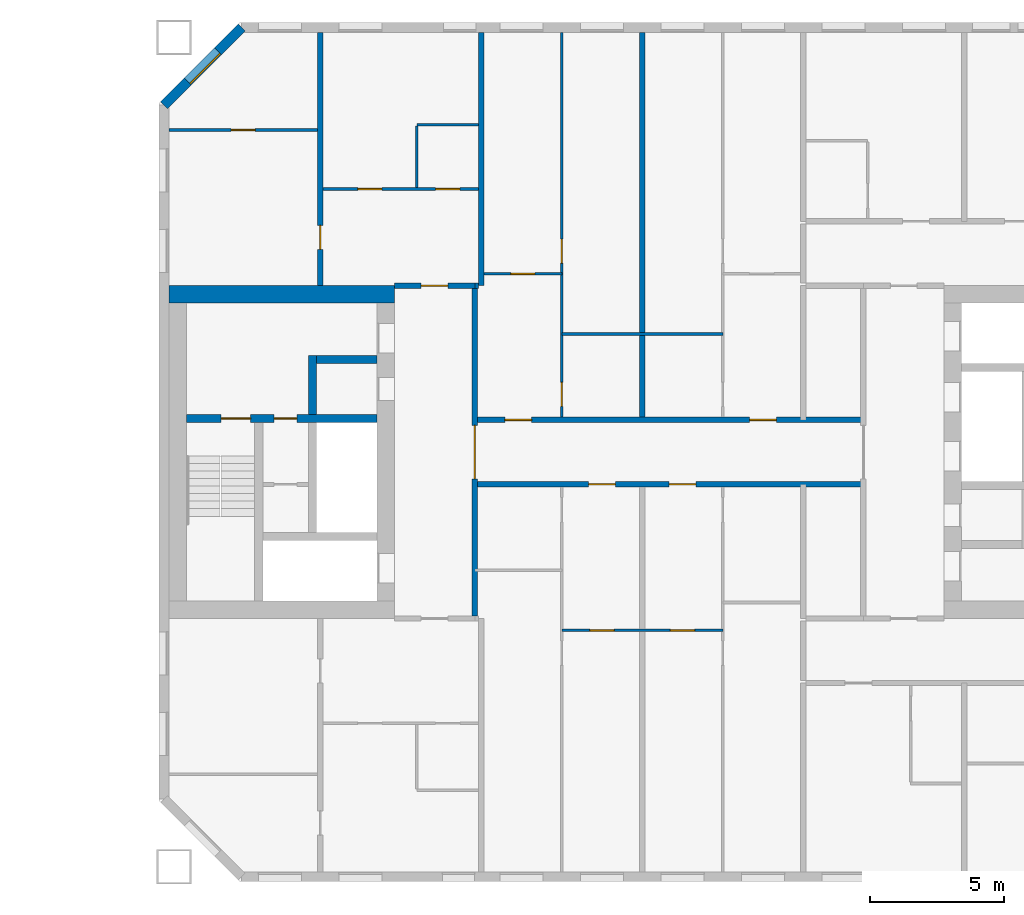
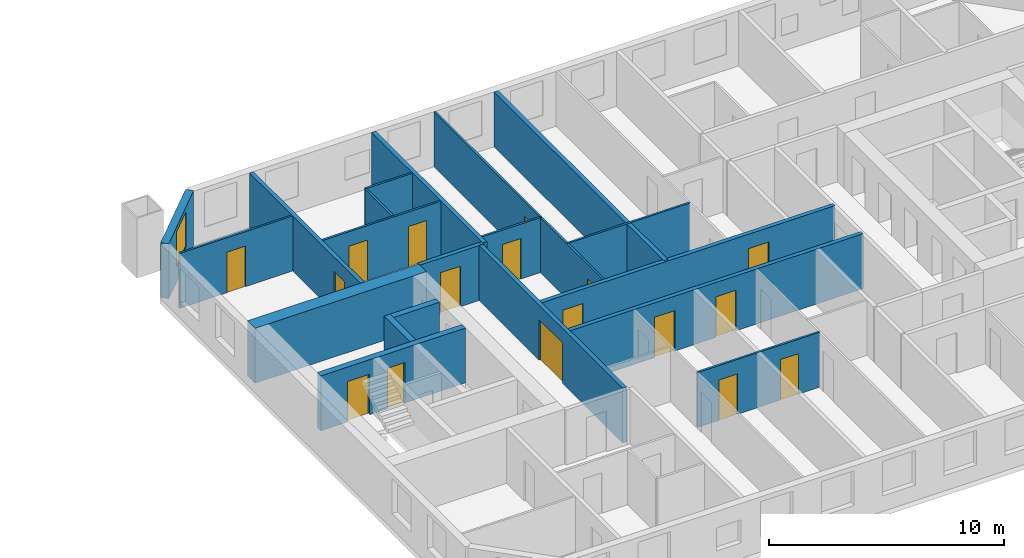
# One storey, part 11 of 17: 21 walls, 17 doors, 1 window, 18 openings.
"""IFC4 building model written with IfcOpenShell, lengths in metres."""

from ifc_helpers import new_model, si_unit, direction, frame, frame_2d, origin, place, context, subcontext, project, spatial, rectangle, extrude, material, layer, layer_set, type_object, element, fill, save


model = new_model("IFC4")

# Units and contexts
model_context = context("Model", 3, precision=1e-05, world=origin(), true_north=direction((0.0, 1.0)))
body_context = subcontext(model_context, "Body", "Model", "MODEL_VIEW")
ifc_project = project(units=[si_unit("LENGTHUNIT", "METRE"), si_unit("AREAUNIT", "SQUARE_METRE"), si_unit("VOLUMEUNIT", "CUBIC_METRE"), si_unit("PLANEANGLEUNIT", "RADIAN"), si_unit("MASSUNIT", "GRAM", prefix="KILO")], contexts=[model_context])

# Site, building, storey
site_placement = place(None, origin())
site = spatial("IfcSite", under=ifc_project, at=site_placement, CompositionType="ELEMENT")
building_placement = place(site_placement, origin())
building = spatial("IfcBuilding", under=site, at=building_placement, Name="Tuart Gate Housing", CompositionType="ELEMENT")
storey_placement = place(building_placement, frame((0.0, 0.0, 102.60009765625)))
storey = spatial("IfcBuildingStorey", under=building, at=storey_placement, Name="L28", CompositionType="ELEMENT", Elevation=102.60009765625)

# Wall, opening, window
ifc_material_1 = material(Name="Brick", Category="masonry")
ifc_layer_1 = layer(ifc_material_1, 0.360107421875)
ifc_layer_set_1 = layer_set([ifc_layer_1], Name="Brick pier and spandrel wall 360")
wall_type_1 = type_object("IfcWallType", Name="Brick pier and spandrel wall 360", PredefinedType="STANDARD", material=ifc_layer_set_1)
wall_1_placement = place(storey_placement, frame((134.07470703125, 85.820068359375, 0.0), z_axis=(0.0, 0.0, 1.0), x_axis=(-0.707106781187, -0.707106781187, 0.0)))
wall_1 = element("IfcWall", 1, at=wall_1_placement, inside=storey, type_object=wall_type_1, Name="External wall B-NW L28", PredefinedType="STANDARD", context=body_context, shape_type="SweptSolid", body=[
    extrude(rectangle(XDim=4.09375, YDim=0.360107421875, at=frame_2d((2.046875, 0.0))), origin(), (0.0, 0.0, 1.0), 2.849853515625),
])
opening_1_placement = place(wall_1_placement, frame((1.2470703125, 0.0, 0.800048828125)))
opening_1 = element("IfcOpeningElement", 2, at=opening_1_placement, cuts=wall_1, Name="Opening W1", PredefinedType="OPENING", context=body_context, shape_type="SweptSolid", body=[
    extrude(rectangle(XDim=1.60009765625, YDim=1.800048828125, at=frame_2d((0.800048828125, 0.89990234375))), frame((0.0, 0.18994140625, 0.0), z_axis=(0.0, -1.0, 0.0), x_axis=(1.0, 0.0, 0.0)), (0.0, 0.0, 1.0), 0.380126953125),
])
ifc_material_2 = material(Name="Aluminium frame with clear glass", Category="aluminium")
window_type = type_object("IfcWindowType", Name="Punched window 1600 x 1800", PartitioningType="SINGLE_PANEL", PredefinedType="WINDOW", material=ifc_material_2)
window_placement = place(opening_1_placement, origin())
window = element("IfcWindow", 3, at=window_placement, inside=storey, type_object=window_type, Name="Window W1", OverallHeight=1.800048828125, OverallWidth=1.60009765625, PartitioningType="SINGLE_PANEL", PredefinedType="WINDOW", context=body_context, shape_type="SweptSolid", body=[
    extrude(rectangle(XDim=1.60009765625, YDim=1.800048828125, at=frame_2d((0.800048828125, 0.89990234375))), frame((0.0, 0.150146484375, 0.0), z_axis=(0.0, -1.0, 0.0), x_axis=(1.0, 0.0, 0.0)), (0.0, 0.0, 1.0), 0.06005859375),
])
fill(opening_1, window)

# Wall, openings, doors
ifc_material_3 = material(Name="Concrete C50", Category="concrete")
ifc_layer_2 = layer(ifc_material_3, 0.300048828125)
ifc_layer_set_2 = layer_set([ifc_layer_2], Name="Core wall 300 C50")
wall_type_2 = type_object("IfcWallType", Name="Core wall 300 C50", PredefinedType="SHEAR", material=ifc_layer_set_2)
wall_2_placement = place(storey_placement, frame((139.110107421875, 71.25, 0.0), z_axis=(0.0, 0.0, 1.0), x_axis=(-1.0, 0.0, 0.0)))
wall_2 = element("IfcWall", 4, at=wall_2_placement, inside=storey, type_object=wall_type_2, Name="Core wall BG.3", PredefinedType="SHEAR", context=body_context, shape_type="SweptSolid", body=[
    extrude(rectangle(XDim=7.10009765625, YDim=0.300048828125, at=frame_2d((3.550048828125, 0.0))), origin(), (0.0, 0.0, 1.0), 2.849853515625),
])
opening_2_placement = place(wall_2_placement, frame((4.699951171875, 0.0, 0.0)))
opening_2 = element("IfcOpeningElement", 5, at=opening_2_placement, cuts=wall_2, Name="Opening D1144", PredefinedType="OPENING", context=body_context, shape_type="SweptSolid", body=[
    extrude(rectangle(XDim=1.10009765625, YDim=2.10009765625, at=frame_2d((0.550048828125, 1.050048828125))), frame((0.0, 0.159912109375, 0.0), z_axis=(0.0, -1.0, 0.0), x_axis=(1.0, 0.0, 0.0)), (0.0, 0.0, 1.0), 0.320068359375),
])
opening_3_placement = place(wall_2_placement, frame((2.97509765625, 0.0, 0.0)))
opening_3 = element("IfcOpeningElement", 6, at=opening_3_placement, cuts=wall_2, Name="Opening D1143", PredefinedType="OPENING", context=body_context, shape_type="SweptSolid", body=[
    extrude(rectangle(XDim=0.85009765625, YDim=2.10009765625, at=frame_2d((0.425048828125, 1.050048828125))), frame((0.0, 0.159912109375, 0.0), z_axis=(0.0, -1.0, 0.0), x_axis=(1.0, 0.0, 0.0)), (0.0, 0.0, 1.0), 0.320068359375),
])
ifc_material_4 = material(Name="Steel fire door", Category="steel")
door_type_1 = type_object("IfcDoorType", Name="Riser door 850 x 2100", OperationType="SINGLE_SWING_LEFT", PredefinedType="DOOR", material=ifc_material_4)
door_1_placement = place(opening_3_placement, origin())
door_1 = element("IfcDoor", 7, at=door_1_placement, inside=storey, type_object=door_type_1, Name="Service room door BG.W1", OperationType="SINGLE_SWING_LEFT", OverallHeight=2.10009765625, OverallWidth=0.85009765625, PredefinedType="DOOR", context=body_context, shape_type="SweptSolid", body=[
    extrude(rectangle(XDim=0.85009765625, YDim=2.10009765625, at=frame_2d((0.425048828125, 1.050048828125))), frame((0.0, 0.02490234375, 0.0), z_axis=(0.0, -1.0, 0.0), x_axis=(1.0, 0.0, 0.0)), (0.0, 0.0, 1.0), 0.050048828125),
])
fill(opening_3, door_1)
ifc_material_5 = material(Name="Steel fire door", Category="steel")
door_type_2 = type_object("IfcDoorType", Name="Stair door 1100 x 2100", OperationType="SINGLE_SWING_LEFT", PredefinedType="DOOR", material=ifc_material_5)
door_2_placement = place(opening_2_placement, origin())
door_2 = element("IfcDoor", 8, at=door_2_placement, inside=storey, type_object=door_type_2, Name="Stair door BG.SD", OperationType="SINGLE_SWING_LEFT", OverallHeight=2.10009765625, OverallWidth=1.10009765625, PredefinedType="DOOR", context=body_context, shape_type="SweptSolid", body=[
    extrude(rectangle(XDim=1.10009765625, YDim=2.10009765625, at=frame_2d((0.550048828125, 1.050048828125))), frame((0.0, 0.02490234375, 0.0), z_axis=(0.0, -1.0, 0.0), x_axis=(1.0, 0.0, 0.0)), (0.0, 0.0, 1.0), 0.050048828125),
])
fill(opening_2, door_2)

# Walls
wall_3_placement = place(storey_placement, frame((139.110107421875, 73.449951171875, 0.0), z_axis=(0.0, 0.0, 1.0), x_axis=(-1.0, 0.0, 0.0)))
element("IfcWall", 9, at=wall_3_placement, inside=storey, type_object=wall_type_2, Name="Core wall BG.4", PredefinedType="SHEAR", context=body_context, shape_type="SweptSolid", body=[
    extrude(rectangle(XDim=2.25, YDim=0.300048828125, at=frame_2d((1.125, 0.0))), origin(), (0.0, 0.0, 1.0), 2.849853515625),
])
wall_4_placement = place(storey_placement, frame((136.7099609375, 71.39990234375, 0.0), z_axis=(0.0, 0.0, 1.0), x_axis=(0.0, 1.0, 0.0)))
element("IfcWall", 10, at=wall_4_placement, inside=storey, type_object=wall_type_2, Name="Core wall BG.6", PredefinedType="SHEAR", context=body_context, shape_type="SweptSolid", body=[
    extrude(rectangle(XDim=2.2001953125, YDim=0.300048828125, at=frame_2d((1.10009765625, 0.0))), origin(), (0.0, 0.0, 1.0), 2.849853515625),
])
ifc_material_6 = material(Name="Concrete C50", Category="concrete")
ifc_layer_3 = layer(ifc_material_6, 0.64990234375)
ifc_layer_set_3 = layer_set([ifc_layer_3], Name="Core wall 650 C50")
wall_type_3 = type_object("IfcWallType", Name="Core wall 650 C50", PredefinedType="SHEAR", material=ifc_layer_set_3)
wall_5_placement = place(storey_placement, frame((139.760009765625, 75.875, 0.0), z_axis=(0.0, 0.0, 1.0), x_axis=(-1.0, 0.0, 0.0)))
element("IfcWall", 11, at=wall_5_placement, inside=storey, type_object=wall_type_3, Name="Core wall BG north", PredefinedType="SHEAR", context=body_context, shape_type="SweptSolid", body=[
    extrude(rectangle(XDim=8.39990234375, YDim=0.64990234375, at=frame_2d((4.199951171875, 0.0))), origin(), (0.0, 0.0, 1.0), 2.849853515625),
])

# Wall, openings, doors
ifc_material_7 = material(Name="Concrete masonry 15 MPa", Category="masonry")
ifc_layer_4 = layer(ifc_material_7, 0.199951171875)
ifc_layer_set_4 = layer_set([ifc_layer_4], Name="Corridor wall masonry 200")
wall_type_4 = type_object("IfcWallType", Name="Corridor wall masonry 200", PredefinedType="PARTITIONING", material=ifc_layer_set_4)
wall_6_placement = place(storey_placement, frame((142.760009765625, 68.800048828125, 0.0), z_axis=(0.0, 0.0, 1.0), x_axis=(1.0, 0.0, 0.0)))
wall_6 = element("IfcWall", 12, at=wall_6_placement, inside=storey, type_object=wall_type_4, Name="Corridor wall masonry 200", PredefinedType="PARTITIONING", context=body_context, shape_type="SweptSolid", body=[
    extrude(rectangle(XDim=14.47998046875, YDim=0.199951171875, at=frame_2d((7.239990234375, 0.0))), origin(), (0.0, 0.0, 1.0), 2.849853515625),
])
opening_4_placement = place(wall_6_placement, frame((4.239990234375, 0.0, 0.0)))
opening_4 = element("IfcOpeningElement", 13, at=opening_4_placement, cuts=wall_6, Name="Opening D1156", PredefinedType="OPENING", context=body_context, shape_type="SweptSolid", body=[
    extrude(rectangle(XDim=1.0, YDim=2.10009765625, at=frame_2d((0.5, 1.050048828125))), frame((0.0, 0.10986328125, 0.0), z_axis=(0.0, -1.0, 0.0), x_axis=(1.0, 0.0, 0.0)), (0.0, 0.0, 1.0), 0.219970703125),
])
opening_5_placement = place(wall_6_placement, frame((7.239990234375, 0.0, 0.0)))
opening_5 = element("IfcOpeningElement", 14, at=opening_5_placement, cuts=wall_6, Name="Opening D1157", PredefinedType="OPENING", context=body_context, shape_type="SweptSolid", body=[
    extrude(rectangle(XDim=1.0, YDim=2.10009765625, at=frame_2d((0.5, 1.050048828125))), frame((0.0, 0.10986328125, 0.0), z_axis=(0.0, -1.0, 0.0), x_axis=(1.0, 0.0, 0.0)), (0.0, 0.0, 1.0), 0.219970703125),
])
ifc_material_8 = material(Name="Timber door leaf in steel frame", Category="steel")
door_type_3 = type_object("IfcDoorType", Name="Flat entrance door 1000 RH", OperationType="SINGLE_SWING_RIGHT", PredefinedType="DOOR", material=ifc_material_8)
door_3_placement = place(opening_4_placement, frame((1.0, 0.0, 0.0), z_axis=(0.0, 0.0, 1.0), x_axis=(-1.0, 0.0, 0.0)))
door_3 = element("IfcDoor", 15, at=door_3_placement, inside=storey, type_object=door_type_3, Name="Flat entrance door", OperationType="SINGLE_SWING_RIGHT", OverallHeight=2.10009765625, OverallWidth=1.0, PredefinedType="DOOR", context=body_context, shape_type="SweptSolid", body=[
    extrude(rectangle(XDim=1.0, YDim=2.10009765625, at=frame_2d((0.5, 1.050048828125))), frame((0.0, 0.025146484375, 0.0), z_axis=(0.0, -1.0, 0.0), x_axis=(1.0, 0.0, 0.0)), (0.0, 0.0, 1.0), 0.050048828125),
])
fill(opening_4, door_3)
door_4_placement = place(opening_5_placement, frame((1.0, 0.0, 0.0), z_axis=(0.0, 0.0, 1.0), x_axis=(-1.0, 0.0, 0.0)))
door_4 = element("IfcDoor", 16, at=door_4_placement, inside=storey, type_object=door_type_3, Name="Flat entrance door", OperationType="SINGLE_SWING_RIGHT", OverallHeight=2.10009765625, OverallWidth=1.0, PredefinedType="DOOR", context=body_context, shape_type="SweptSolid", body=[
    extrude(rectangle(XDim=1.0, YDim=2.10009765625, at=frame_2d((0.5, 1.050048828125))), frame((0.0, 0.025146484375, 0.0), z_axis=(0.0, -1.0, 0.0), x_axis=(1.0, 0.0, 0.0)), (0.0, 0.0, 1.0), 0.050048828125),
])
fill(opening_5, door_4)

wall_7_placement = place(storey_placement, frame((142.760009765625, 71.199951171875, 0.0), z_axis=(0.0, 0.0, 1.0), x_axis=(1.0, 0.0, 0.0)))
wall_7 = element("IfcWall", 17, at=wall_7_placement, inside=storey, type_object=wall_type_4, Name="Corridor wall masonry 200", PredefinedType="PARTITIONING", context=body_context, shape_type="SweptSolid", body=[
    extrude(rectangle(XDim=14.47998046875, YDim=0.199951171875, at=frame_2d((7.239990234375, 0.0))), origin(), (0.0, 0.0, 1.0), 2.849853515625),
])
opening_6_placement = place(wall_7_placement, frame((1.1201171875, 0.0, 0.0)))
opening_6 = element("IfcOpeningElement", 18, at=opening_6_placement, cuts=wall_7, Name="Opening D1145", PredefinedType="OPENING", context=body_context, shape_type="SweptSolid", body=[
    extrude(rectangle(XDim=1.0, YDim=2.10009765625, at=frame_2d((0.5, 1.050048828125))), frame((0.0, 0.10986328125, 0.0), z_axis=(0.0, -1.0, 0.0), x_axis=(1.0, 0.0, 0.0)), (0.0, 0.0, 1.0), 0.219970703125),
])
opening_7_placement = place(wall_7_placement, frame((10.239990234375, 0.0, 0.0)))
opening_7 = element("IfcOpeningElement", 19, at=opening_7_placement, cuts=wall_7, Name="Opening D1146", PredefinedType="OPENING", context=body_context, shape_type="SweptSolid", body=[
    extrude(rectangle(XDim=1.0, YDim=2.10009765625, at=frame_2d((0.5, 1.050048828125))), frame((0.0, 0.10986328125, 0.0), z_axis=(0.0, -1.0, 0.0), x_axis=(1.0, 0.0, 0.0)), (0.0, 0.0, 1.0), 0.219970703125),
])
ifc_material_9 = material(Name="Timber door leaf in steel frame", Category="steel")
door_type_4 = type_object("IfcDoorType", Name="Flat entrance door 1000", OperationType="SINGLE_SWING_LEFT", PredefinedType="DOOR", material=ifc_material_9)
door_5_placement = place(opening_6_placement, origin())
door_5 = element("IfcDoor", 20, at=door_5_placement, inside=storey, type_object=door_type_4, Name="Flat entrance door", OperationType="SINGLE_SWING_LEFT", OverallHeight=2.10009765625, OverallWidth=1.0, PredefinedType="DOOR", context=body_context, shape_type="SweptSolid", body=[
    extrude(rectangle(XDim=1.0, YDim=2.10009765625, at=frame_2d((0.5, 1.050048828125))), frame((0.0, 0.02490234375, 0.0), z_axis=(0.0, -1.0, 0.0), x_axis=(1.0, 0.0, 0.0)), (0.0, 0.0, 1.0), 0.050048828125),
])
fill(opening_6, door_5)
door_6_placement = place(opening_7_placement, origin())
door_6 = element("IfcDoor", 21, at=door_6_placement, inside=storey, type_object=door_type_4, Name="Flat entrance door", OperationType="SINGLE_SWING_LEFT", OverallHeight=2.10009765625, OverallWidth=1.0, PredefinedType="DOOR", context=body_context, shape_type="SweptSolid", body=[
    extrude(rectangle(XDim=1.0, YDim=2.10009765625, at=frame_2d((0.5, 1.050048828125))), frame((0.0, 0.02490234375, 0.0), z_axis=(0.0, -1.0, 0.0), x_axis=(1.0, 0.0, 0.0)), (0.0, 0.0, 1.0), 0.050048828125),
])
fill(opening_7, door_6)

# Wall, opening, door
ifc_material_10 = material(Name="Concrete masonry 15 MPa", Category="masonry")
ifc_layer_5 = layer(ifc_material_10, 0.199951171875)
ifc_layer_set_5 = layer_set([ifc_layer_5], Name="Enclosure wall masonry 200")
wall_type_5 = type_object("IfcWallType", Name="Enclosure wall masonry 200", PredefinedType="PARTITIONING", material=ifc_layer_set_5)
wall_8_placement = place(storey_placement, frame((139.760009765625, 76.199951171875, 0.0), z_axis=(0.0, 0.0, 1.0), x_axis=(1.0, 0.0, 0.0)))
wall_8 = element("IfcWall", 22, at=wall_8_placement, inside=storey, type_object=wall_type_5, Name="Enclosure wall masonry 200", PredefinedType="PARTITIONING", context=body_context, shape_type="SweptSolid", body=[
    extrude(rectangle(XDim=3.0, YDim=0.199951171875, at=frame_2d((1.5, 0.0))), origin(), (0.0, 0.0, 1.0), 2.849853515625),
])
opening_8_placement = place(wall_8_placement, frame((1.0, 0.0, 0.0)))
opening_8 = element("IfcOpeningElement", 23, at=opening_8_placement, cuts=wall_8, Name="Opening D1141", PredefinedType="OPENING", context=body_context, shape_type="SweptSolid", body=[
    extrude(rectangle(XDim=1.0, YDim=2.10009765625, at=frame_2d((0.5, 1.050048828125))), frame((0.0, 0.10986328125, 0.0), z_axis=(0.0, -1.0, 0.0), x_axis=(1.0, 0.0, 0.0)), (0.0, 0.0, 1.0), 0.219970703125),
])
door_7_placement = place(opening_8_placement, origin())
door_7 = element("IfcDoor", 24, at=door_7_placement, inside=storey, type_object=door_type_3, Name="Flat entrance door", OperationType="SINGLE_SWING_RIGHT", OverallHeight=2.10009765625, OverallWidth=1.0, PredefinedType="DOOR", context=body_context, shape_type="SweptSolid", body=[
    extrude(rectangle(XDim=1.0, YDim=2.10009765625, at=frame_2d((0.5, 1.050048828125))), frame((0.0, 0.02490234375, 0.0), z_axis=(0.0, -1.0, 0.0), x_axis=(1.0, 0.0, 0.0)), (0.0, 0.0, 1.0), 0.050048828125),
])
fill(opening_8, door_7)

ifc_material_11 = material(Name="Plasterboard partition")
ifc_layer_6 = layer(ifc_material_11, 0.199951171875)
ifc_layer_set_6 = layer_set([ifc_layer_6], Name="Lobby wall 200")
wall_type_6 = type_object("IfcWallType", Name="Lobby wall 200", PredefinedType="PARTITIONING", material=ifc_layer_set_6)
wall_9_placement = place(storey_placement, frame((142.760009765625, 63.89990234375, 0.0), z_axis=(0.0, 0.0, 1.0), x_axis=(0.0, 1.0, 0.0)))
wall_9 = element("IfcWall", 25, at=wall_9_placement, inside=storey, type_object=wall_type_6, Name="Lift lobby wall BG", PredefinedType="PARTITIONING", context=body_context, shape_type="SweptSolid", body=[
    extrude(rectangle(XDim=12.2001953125, YDim=0.199951171875, at=frame_2d((6.10009765625, 0.0))), origin(), (0.0, 0.0, 1.0), 2.849853515625),
])
opening_9_placement = place(wall_9_placement, frame((5.10009765625, 0.0, 0.0)))
opening_9 = element("IfcOpeningElement", 26, at=opening_9_placement, cuts=wall_9, Name="Opening D1149", PredefinedType="OPENING", context=body_context, shape_type="SweptSolid", body=[
    extrude(rectangle(XDim=2.0, YDim=2.10009765625, at=frame_2d((1.0, 1.050048828125))), frame((0.0, 0.10986328125, 0.0), z_axis=(0.0, -1.0, 0.0), x_axis=(1.0, 0.0, 0.0)), (0.0, 0.0, 1.0), 0.219970703125),
])
ifc_material_12 = material(Name="Steel fire door", Category="steel")
door_type_5 = type_object("IfcDoorType", Name="Smoke door 2000 x 2100", OperationType="DOUBLE_DOOR_SINGLE_SWING", PredefinedType="DOOR", material=ifc_material_12)
door_8_placement = place(opening_9_placement, origin())
door_8 = element("IfcDoor", 27, at=door_8_placement, inside=storey, type_object=door_type_5, Name="Lift lobby smoke door BG", OperationType="DOUBLE_DOOR_SINGLE_SWING", OverallHeight=2.10009765625, OverallWidth=2.0, PredefinedType="DOOR", context=body_context, shape_type="SweptSolid", body=[
    extrude(rectangle(XDim=2.0, YDim=2.10009765625, at=frame_2d((1.0, 1.050048828125))), frame((0.0, 0.02490234375, 0.0), z_axis=(0.0, -1.0, 0.0), x_axis=(1.0, 0.0, 0.0)), (0.0, 0.0, 1.0), 0.050048828125),
])
fill(opening_9, door_8)

# Wall, openings, doors
ifc_material_13 = material(Name="Gypsum board on steel studs", Category="steel")
ifc_layer_7 = layer(ifc_material_13, 0.10009765625)
ifc_layer_set_7 = layer_set([ifc_layer_7], Name="Partition 100")
wall_type_7 = type_object("IfcWallType", Name="Partition 100", PredefinedType="PARTITIONING", material=ifc_layer_set_7)
wall_10_placement = place(storey_placement, frame((146.0, 63.360107421875, 0.0), z_axis=(0.0, 0.0, 1.0), x_axis=(1.0, 0.0, 0.0)))
wall_10 = element("IfcWall", 28, at=wall_10_placement, inside=storey, type_object=wall_type_7, Name="Partition 100", PredefinedType="PARTITIONING", context=body_context, shape_type="SweptSolid", body=[
    extrude(rectangle(XDim=6.0, YDim=0.10009765625, at=frame_2d((3.0, 0.0))), origin(), (0.0, 0.0, 1.0), 2.849853515625),
])
opening_10_placement = place(wall_10_placement, frame((1.050048828125, 0.0, 0.0)))
opening_10 = element("IfcOpeningElement", 29, at=opening_10_placement, cuts=wall_10, Name="Opening D1162", PredefinedType="OPENING", context=body_context, shape_type="SweptSolid", body=[
    extrude(rectangle(XDim=0.89990234375, YDim=2.10009765625, at=frame_2d((0.449951171875, 1.050048828125))), frame((0.0, 0.06005859375, 0.0), z_axis=(0.0, -1.0, 0.0), x_axis=(1.0, 0.0, 0.0)), (0.0, 0.0, 1.0), 0.1201171875),
])
opening_11_placement = place(wall_10_placement, frame((4.050048828125, 0.0, 0.0)))
opening_11 = element("IfcOpeningElement", 30, at=opening_11_placement, cuts=wall_10, Name="Opening D1163", PredefinedType="OPENING", context=body_context, shape_type="SweptSolid", body=[
    extrude(rectangle(XDim=0.89990234375, YDim=2.10009765625, at=frame_2d((0.449951171875, 1.050048828125))), frame((0.0, 0.06005859375, 0.0), z_axis=(0.0, -1.0, 0.0), x_axis=(1.0, 0.0, 0.0)), (0.0, 0.0, 1.0), 0.1201171875),
])
ifc_material_14 = material(Name="Timber door leaf in steel frame", Category="steel")
door_type_6 = type_object("IfcDoorType", Name="Internal door 900", OperationType="SINGLE_SWING_LEFT", PredefinedType="DOOR", material=ifc_material_14)
door_9_placement = place(opening_10_placement, origin())
door_9 = element("IfcDoor", 31, at=door_9_placement, inside=storey, type_object=door_type_6, Name="Internal door", OperationType="SINGLE_SWING_LEFT", OverallHeight=2.10009765625, OverallWidth=0.89990234375, PredefinedType="DOOR", context=body_context, shape_type="SweptSolid", body=[
    extrude(rectangle(XDim=0.89990234375, YDim=2.10009765625, at=frame_2d((0.449951171875, 1.050048828125))), frame((0.0, 0.02490234375, 0.0), z_axis=(0.0, -1.0, 0.0), x_axis=(1.0, 0.0, 0.0)), (0.0, 0.0, 1.0), 0.050048828125),
])
fill(opening_10, door_9)
door_10_placement = place(opening_11_placement, origin())
door_10 = element("IfcDoor", 32, at=door_10_placement, inside=storey, type_object=door_type_6, Name="Internal door", OperationType="SINGLE_SWING_LEFT", OverallHeight=2.10009765625, OverallWidth=0.89990234375, PredefinedType="DOOR", context=body_context, shape_type="SweptSolid", body=[
    extrude(rectangle(XDim=0.89990234375, YDim=2.10009765625, at=frame_2d((0.449951171875, 1.050048828125))), frame((0.0, 0.02490234375, 0.0), z_axis=(0.0, -1.0, 0.0), x_axis=(1.0, 0.0, 0.0)), (0.0, 0.0, 1.0), 0.050048828125),
])
fill(opening_11, door_10)

# Wall
wall_11_placement = place(storey_placement, frame((146.0, 74.39990234375, 0.0), z_axis=(0.0, 0.0, 1.0), x_axis=(1.0, 0.0, 0.0)))
element("IfcWall", 33, at=wall_11_placement, inside=storey, type_object=wall_type_7, Name="Partition 100", PredefinedType="PARTITIONING", context=body_context, shape_type="SweptSolid", body=[
    extrude(rectangle(XDim=6.0, YDim=0.10009765625, at=frame_2d((3.0, 0.0))), origin(), (0.0, 0.0, 1.0), 2.849853515625),
])

# Wall, opening, door
wall_12_placement = place(storey_placement, frame((143.10009765625, 76.639892578125, 0.0), z_axis=(0.0, 0.0, 1.0), x_axis=(1.0, 0.0, 0.0)))
wall_12 = element("IfcWall", 34, at=wall_12_placement, inside=storey, type_object=wall_type_7, Name="Partition 100", PredefinedType="PARTITIONING", context=body_context, shape_type="SweptSolid", body=[
    extrude(rectangle(XDim=2.89990234375, YDim=0.10009765625, at=frame_2d((1.449951171875, 0.0))), origin(), (0.0, 0.0, 1.0), 2.849853515625),
])
opening_12_placement = place(wall_12_placement, frame((1.0, 0.0, 0.0)))
opening_12 = element("IfcOpeningElement", 35, at=opening_12_placement, cuts=wall_12, Name="Opening D1139", PredefinedType="OPENING", context=body_context, shape_type="SweptSolid", body=[
    extrude(rectangle(XDim=0.89990234375, YDim=2.10009765625, at=frame_2d((0.449951171875, 1.050048828125))), frame((0.0, 0.06005859375, 0.0), z_axis=(0.0, -1.0, 0.0), x_axis=(1.0, 0.0, 0.0)), (0.0, 0.0, 1.0), 0.1201171875),
])
door_11_placement = place(opening_12_placement, frame((0.89990234375, 0.0, 0.0), z_axis=(0.0, 0.0, 1.0), x_axis=(-1.0, 0.0, 0.0)))
door_11 = element("IfcDoor", 36, at=door_11_placement, inside=storey, type_object=door_type_6, Name="Internal door", OperationType="SINGLE_SWING_LEFT", OverallHeight=2.10009765625, OverallWidth=0.89990234375, PredefinedType="DOOR", context=body_context, shape_type="SweptSolid", body=[
    extrude(rectangle(XDim=0.89990234375, YDim=2.10009765625, at=frame_2d((0.449951171875, 1.050048828125))), frame((0.0, 0.025146484375, 0.0), z_axis=(0.0, -1.0, 0.0), x_axis=(1.0, 0.0, 0.0)), (0.0, 0.0, 1.0), 0.050048828125),
])
fill(opening_12, door_11)

# Wall, openings, doors
wall_13_placement = place(storey_placement, frame((137.10009765625, 79.800048828125, 0.0), z_axis=(0.0, 0.0, 1.0), x_axis=(1.0, 0.0, 0.0)))
wall_13 = element("IfcWall", 37, at=wall_13_placement, inside=storey, type_object=wall_type_7, Name="Partition 100", PredefinedType="PARTITIONING", context=body_context, shape_type="SweptSolid", body=[
    extrude(rectangle(XDim=5.7998046875, YDim=0.10009765625, at=frame_2d((2.89990234375, 0.0))), origin(), (0.0, 0.0, 1.0), 2.849853515625),
])
opening_13_placement = place(wall_13_placement, frame((1.300048828125, 0.0, 0.0)))
opening_13 = element("IfcOpeningElement", 38, at=opening_13_placement, cuts=wall_13, Name="Opening D1131", PredefinedType="OPENING", context=body_context, shape_type="SweptSolid", body=[
    extrude(rectangle(XDim=0.89990234375, YDim=2.10009765625, at=frame_2d((0.449951171875, 1.050048828125))), frame((0.0, 0.06005859375, 0.0), z_axis=(0.0, -1.0, 0.0), x_axis=(1.0, 0.0, 0.0)), (0.0, 0.0, 1.0), 0.1201171875),
])
opening_14_placement = place(wall_13_placement, frame((4.199951171875, 0.0, 0.0)))
opening_14 = element("IfcOpeningElement", 39, at=opening_14_placement, cuts=wall_13, Name="Opening D1130", PredefinedType="OPENING", context=body_context, shape_type="SweptSolid", body=[
    extrude(rectangle(XDim=0.89990234375, YDim=2.10009765625, at=frame_2d((0.449951171875, 1.050048828125))), frame((0.0, 0.06005859375, 0.0), z_axis=(0.0, -1.0, 0.0), x_axis=(1.0, 0.0, 0.0)), (0.0, 0.0, 1.0), 0.1201171875),
])
ifc_material_15 = material(Name="Timber door leaf in steel frame", Category="steel")
door_type_7 = type_object("IfcDoorType", Name="Bathroom door 900", OperationType="SINGLE_SWING_LEFT", PredefinedType="DOOR", material=ifc_material_15)
door_12_placement = place(opening_14_placement, origin())
door_12 = element("IfcDoor", 40, at=door_12_placement, inside=storey, type_object=door_type_7, Name="Bathroom door", OperationType="SINGLE_SWING_LEFT", OverallHeight=2.10009765625, OverallWidth=0.89990234375, PredefinedType="DOOR", context=body_context, shape_type="SweptSolid", body=[
    extrude(rectangle(XDim=0.89990234375, YDim=2.10009765625, at=frame_2d((0.449951171875, 1.050048828125))), frame((0.0, 0.02490234375, 0.0), z_axis=(0.0, -1.0, 0.0), x_axis=(1.0, 0.0, 0.0)), (0.0, 0.0, 1.0), 0.050048828125),
])
fill(opening_14, door_12)
ifc_material_16 = material(Name="Timber door leaf in steel frame", Category="steel")
door_type_8 = type_object("IfcDoorType", Name="Internal door 900 RH", OperationType="SINGLE_SWING_RIGHT", PredefinedType="DOOR", material=ifc_material_16)
door_13_placement = place(opening_13_placement, origin())
door_13 = element("IfcDoor", 41, at=door_13_placement, inside=storey, type_object=door_type_8, Name="Internal door", OperationType="SINGLE_SWING_RIGHT", OverallHeight=2.10009765625, OverallWidth=0.89990234375, PredefinedType="DOOR", context=body_context, shape_type="SweptSolid", body=[
    extrude(rectangle(XDim=0.89990234375, YDim=2.10009765625, at=frame_2d((0.449951171875, 1.050048828125))), frame((0.0, 0.02490234375, 0.0), z_axis=(0.0, -1.0, 0.0), x_axis=(1.0, 0.0, 0.0)), (0.0, 0.0, 1.0), 0.050048828125),
])
fill(opening_13, door_13)

# Wall, opening, door
wall_14_placement = place(storey_placement, frame((131.360107421875, 82.0, 0.0), z_axis=(0.0, 0.0, 1.0), x_axis=(1.0, 0.0, 0.0)))
wall_14 = element("IfcWall", 42, at=wall_14_placement, inside=storey, type_object=wall_type_7, Name="Partition 100", PredefinedType="PARTITIONING", context=body_context, shape_type="SweptSolid", body=[
    extrude(rectangle(XDim=5.539794921875, YDim=0.10009765625, at=frame_2d((2.77001953125, 0.0))), origin(), (0.0, 0.0, 1.0), 2.849853515625),
])
opening_15_placement = place(wall_14_placement, frame((2.320068359375, 0.0, 0.0)))
opening_15 = element("IfcOpeningElement", 43, at=opening_15_placement, cuts=wall_14, Name="Opening D1125", PredefinedType="OPENING", context=body_context, shape_type="SweptSolid", body=[
    extrude(rectangle(XDim=0.89990234375, YDim=2.10009765625, at=frame_2d((0.449951171875, 1.050048828125))), frame((0.0, 0.06005859375, 0.0), z_axis=(0.0, -1.0, 0.0), x_axis=(1.0, 0.0, 0.0)), (0.0, 0.0, 1.0), 0.1201171875),
])
door_14_placement = place(opening_15_placement, origin())
door_14 = element("IfcDoor", 44, at=door_14_placement, inside=storey, type_object=door_type_6, Name="Internal door", OperationType="SINGLE_SWING_LEFT", OverallHeight=2.10009765625, OverallWidth=0.89990234375, PredefinedType="DOOR", context=body_context, shape_type="SweptSolid", body=[
    extrude(rectangle(XDim=0.89990234375, YDim=2.10009765625, at=frame_2d((0.449951171875, 1.050048828125))), frame((0.0, 0.02490234375, 0.0), z_axis=(0.0, -1.0, 0.0), x_axis=(1.0, 0.0, 0.0)), (0.0, 0.0, 1.0), 0.050048828125),
])
fill(opening_15, door_14)

# Walls
for number, where, z_axis, x_axis, name in (
    (45, (140.60009765625, 82.199951171875, 0.0), (0.0, 0.0, 1.0), (1.0, 0.0, 0.0), "Partition 100"),
    (46, (140.60009765625, 79.85009765625, 0.0), (0.0, 0.0, 1.0), (0.0, 1.0, 0.0), "Partition 100"),
):
    element("IfcWall", number, at=place(storey_placement, frame(where, z_axis=z_axis, x_axis=x_axis)), inside=storey, type_object=wall_type_7, Name=name, PredefinedType="PARTITIONING", context=body_context, shape_type="SweptSolid", body=[
        extrude(rectangle(XDim=2.2998046875, YDim=0.10009765625, at=frame_2d((1.14990234375, 0.0))), origin(), (0.0, 0.0, 1.0), 2.849853515625),
    ])

# Wall, openings, doors
wall_15_placement = place(storey_placement, frame((146.0, 71.300048828125, 0.0), z_axis=(0.0, 0.0, 1.0), x_axis=(0.0, 1.0, 0.0)))
wall_15 = element("IfcWall", 47, at=wall_15_placement, inside=storey, type_object=wall_type_7, Name="Partition 100", PredefinedType="PARTITIONING", context=body_context, shape_type="SweptSolid", body=[
    extrude(rectangle(XDim=14.33984375, YDim=0.10009765625, at=frame_2d((7.169921875, 0.0))), origin(), (0.0, 0.0, 1.0), 2.849853515625),
])
opening_16_placement = place(wall_15_placement, frame((5.739990234375, 0.0, 0.0)))
opening_16 = element("IfcOpeningElement", 48, at=opening_16_placement, cuts=wall_15, Name="Opening D1136", PredefinedType="OPENING", context=body_context, shape_type="SweptSolid", body=[
    extrude(rectangle(XDim=0.89990234375, YDim=2.10009765625, at=frame_2d((0.449951171875, 1.050048828125))), frame((0.0, 0.06005859375, 0.0), z_axis=(0.0, -1.0, 0.0), x_axis=(1.0, 0.0, 0.0)), (0.0, 0.0, 1.0), 0.1201171875),
])
opening_17_placement = place(wall_15_placement, frame((0.39990234375, 0.0, 0.0)))
opening_17 = element("IfcOpeningElement", 49, at=opening_17_placement, cuts=wall_15, Name="Opening D1135", PredefinedType="OPENING", context=body_context, shape_type="SweptSolid", body=[
    extrude(rectangle(XDim=0.89990234375, YDim=2.10009765625, at=frame_2d((0.449951171875, 1.050048828125))), frame((0.0, 0.06005859375, 0.0), z_axis=(0.0, -1.0, 0.0), x_axis=(1.0, 0.0, 0.0)), (0.0, 0.0, 1.0), 0.1201171875),
])
ifc_material_17 = material(Name="Timber door leaf in steel frame", Category="steel")
door_type_9 = type_object("IfcDoorType", Name="Bathroom door 900 RH", OperationType="SINGLE_SWING_RIGHT", PredefinedType="DOOR", material=ifc_material_17)
door_15_placement = place(opening_17_placement, frame((0.89990234375, 0.0, 0.0), z_axis=(0.0, 0.0, 1.0), x_axis=(-1.0, 0.0, 0.0)))
door_15 = element("IfcDoor", 50, at=door_15_placement, inside=storey, type_object=door_type_9, Name="Bathroom door", OperationType="SINGLE_SWING_RIGHT", OverallHeight=2.10009765625, OverallWidth=0.89990234375, PredefinedType="DOOR", context=body_context, shape_type="SweptSolid", body=[
    extrude(rectangle(XDim=0.89990234375, YDim=2.10009765625, at=frame_2d((0.449951171875, 1.050048828125))), frame((0.0, 0.025146484375, 0.0), z_axis=(0.0, -1.0, 0.0), x_axis=(1.0, 0.0, 0.0)), (0.0, 0.0, 1.0), 0.050048828125),
])
fill(opening_17, door_15)
door_16_placement = place(opening_16_placement, frame((0.89990234375, 0.0, 0.0), z_axis=(0.0, 0.0, 1.0), x_axis=(-1.0, 0.0, 0.0)))
door_16 = element("IfcDoor", 51, at=door_16_placement, inside=storey, type_object=door_type_8, Name="Internal door", OperationType="SINGLE_SWING_RIGHT", OverallHeight=2.10009765625, OverallWidth=0.89990234375, PredefinedType="DOOR", context=body_context, shape_type="SweptSolid", body=[
    extrude(rectangle(XDim=0.89990234375, YDim=2.10009765625, at=frame_2d((0.449951171875, 1.050048828125))), frame((0.0, 0.025146484375, 0.0), z_axis=(0.0, -1.0, 0.0), x_axis=(1.0, 0.0, 0.0)), (0.0, 0.0, 1.0), 0.050048828125),
])
fill(opening_16, door_16)

# Wall, opening, door
ifc_material_18 = material(Name="Concrete C40", Category="concrete")
ifc_layer_8 = layer(ifc_material_18, 0.199951171875)
ifc_layer_set_8 = layer_set([ifc_layer_8], Name="Party wall concrete C40 200")
wall_type_8 = type_object("IfcWallType", Name="Party wall concrete C40 200", PredefinedType="SOLIDWALL", material=ifc_layer_set_8)
wall_16_placement = place(storey_placement, frame((137.0, 76.199951171875, 0.0), z_axis=(0.0, 0.0, 1.0), x_axis=(0.0, 1.0, 0.0)))
wall_16 = element("IfcWall", 52, at=wall_16_placement, inside=storey, type_object=wall_type_8, Name="Party wall concrete C40 200", PredefinedType="SOLIDWALL", context=body_context, shape_type="SweptSolid", body=[
    extrude(rectangle(XDim=9.43994140625, YDim=0.199951171875, at=frame_2d((4.719970703125, 0.0))), origin(), (0.0, 0.0, 1.0), 2.849853515625),
])
opening_18_placement = place(wall_16_placement, frame((1.35009765625, 0.0, 0.0)))
opening_18 = element("IfcOpeningElement", 53, at=opening_18_placement, cuts=wall_16, Name="Opening D1126", PredefinedType="OPENING", context=body_context, shape_type="SweptSolid", body=[
    extrude(rectangle(XDim=0.89990234375, YDim=2.10009765625, at=frame_2d((0.449951171875, 1.050048828125))), frame((0.0, 0.10986328125, 0.0), z_axis=(0.0, -1.0, 0.0), x_axis=(1.0, 0.0, 0.0)), (0.0, 0.0, 1.0), 0.219970703125),
])
door_17_placement = place(opening_18_placement, frame((0.89990234375, 0.0, 0.0), z_axis=(0.0, 0.0, 1.0), x_axis=(-1.0, 0.0, 0.0)))
door_17 = element("IfcDoor", 54, at=door_17_placement, inside=storey, type_object=door_type_8, Name="Internal door", OperationType="SINGLE_SWING_RIGHT", OverallHeight=2.10009765625, OverallWidth=0.89990234375, PredefinedType="DOOR", context=body_context, shape_type="SweptSolid", body=[
    extrude(rectangle(XDim=0.89990234375, YDim=2.10009765625, at=frame_2d((0.449951171875, 1.050048828125))), frame((0.0, 0.025146484375, 0.0), z_axis=(0.0, -1.0, 0.0), x_axis=(1.0, 0.0, 0.0)), (0.0, 0.0, 1.0), 0.050048828125),
])
fill(opening_18, door_17)

# Walls
wall_17_placement = place(storey_placement, frame((143.0, 76.199951171875, 0.0), z_axis=(0.0, 0.0, 1.0), x_axis=(0.0, 1.0, 0.0)))
element("IfcWall", 55, at=wall_17_placement, inside=storey, type_object=wall_type_8, Name="Party wall concrete C40 200", PredefinedType="SOLIDWALL", context=body_context, shape_type="SweptSolid", body=[
    extrude(rectangle(XDim=9.43994140625, YDim=0.199951171875, at=frame_2d((4.719970703125, 0.0))), origin(), (0.0, 0.0, 1.0), 2.849853515625),
])
wall_18_placement = place(storey_placement, frame((149.0, 71.199951171875, 0.0), z_axis=(0.0, 0.0, 1.0), x_axis=(0.0, 1.0, 0.0)))
element("IfcWall", 56, at=wall_18_placement, inside=storey, type_object=wall_type_8, Name="Party wall concrete C40 200", PredefinedType="SOLIDWALL", context=body_context, shape_type="SweptSolid", body=[
    extrude(rectangle(XDim=14.43994140625, YDim=0.199951171875, at=frame_2d((7.219970703125, 0.0))), origin(), (0.0, 0.0, 1.0), 2.849853515625),
])
ifc_material_19 = material(Name="Concrete masonry 15 MPa", Category="masonry")
ifc_layer_9 = layer(ifc_material_19, 0.199951171875)
ifc_layer_set_9 = layer_set([ifc_layer_9], Name="Party wall masonry 200")
wall_type_9 = type_object("IfcWallType", Name="Party wall masonry 200", PredefinedType="PARTITIONING", material=ifc_layer_set_9)
wall_19_placement = place(storey_placement, frame((142.760009765625, 76.199951171875, 0.0), z_axis=(0.0, 0.0, 1.0), x_axis=(1.0, 0.0, 0.0)))
element("IfcWall", 57, at=wall_19_placement, inside=storey, type_object=wall_type_9, Name="Party wall masonry 200", PredefinedType="PARTITIONING", context=body_context, shape_type="SweptSolid", body=[
    extrude(rectangle(XDim=0.139892578125, YDim=0.199951171875, at=frame_2d((0.06982421875, 0.0))), origin(), (0.0, 0.0, 1.0), 2.849853515625),
])

save(model, "model.ifc")
